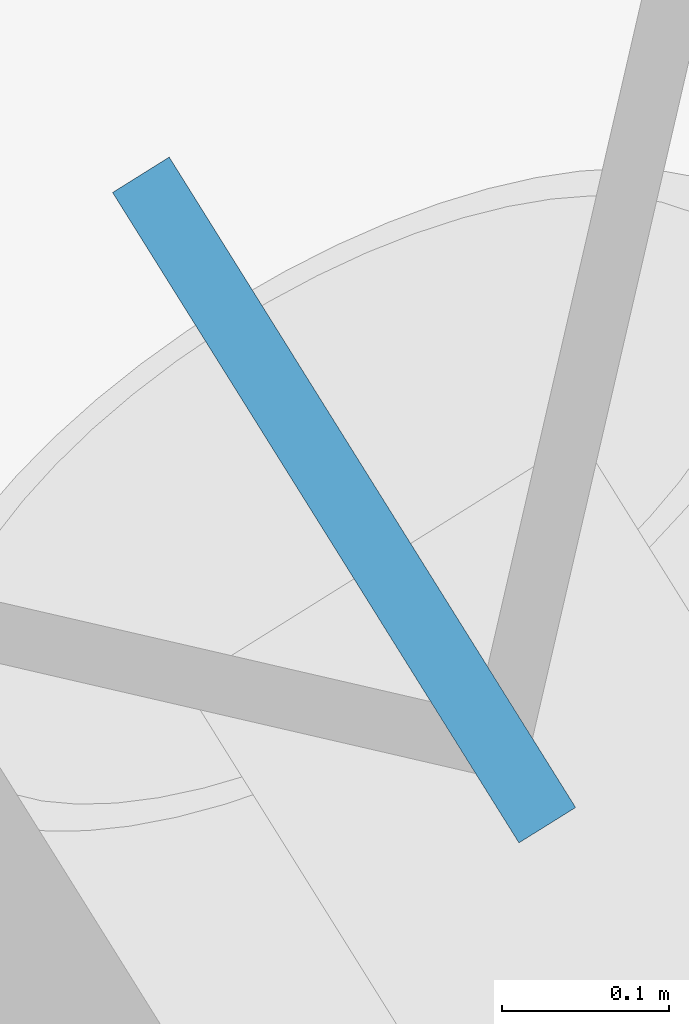
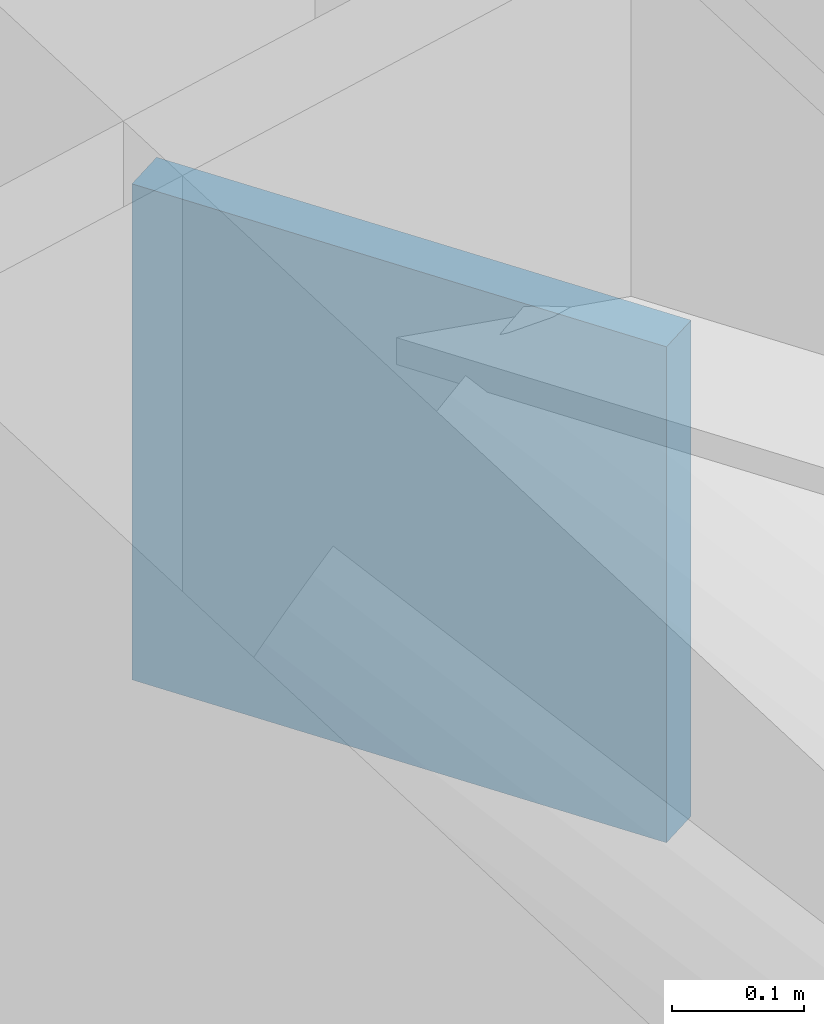
# One storey, part 18 of 19: 1 discrete accessory.
"""IFC4 building model written with IfcOpenShell, lengths in metres."""

from ifc_helpers import new_model, si_unit, direction, frame, origin, origin_2d, place, context, subcontext, project, spatial, rectangle, extrude, material, type_object, element, save


model = new_model("IFC4")

# Units and contexts
model_context = context("Model", 3, precision=1e-05, world=origin(), true_north=direction((0.0, 1.0)))
body_context = subcontext(model_context, "Body", "Model", "MODEL_VIEW")
ifc_project = project(units=[si_unit("LENGTHUNIT", "METRE"), si_unit("AREAUNIT", "SQUARE_METRE"), si_unit("VOLUMEUNIT", "CUBIC_METRE"), si_unit("PLANEANGLEUNIT", "RADIAN"), si_unit("MASSUNIT", "GRAM", prefix="KILO")], contexts=[model_context])

# Site, building, storey
site_placement = place(None, origin())
site = spatial("IfcSite", under=ifc_project, at=site_placement, CompositionType="ELEMENT")
building_placement = place(site_placement, origin())
building = spatial("IfcBuilding", under=site, at=building_placement, Name="Tavrogorsk Clinical Tower", CompositionType="ELEMENT")
storey_placement = place(building_placement, frame((0.0, 0.0, 28.39990234375)))
storey = spatial("IfcBuildingStorey", under=building, at=storey_placement, Name="L05", CompositionType="ELEMENT", Elevation=28.39990234375)

# Discrete accessory
ifc_material = material(Name="Structural steel S440", Category="steel")
discrete_accessory_type = type_object("IfcDiscreteAccessoryType", Name="GussetPlateBracket_25", PredefinedType="BRACKET", material=ifc_material)
discrete_accessory_placement = place(storey_placement, frame((36.64453125, 14.49658203125, 3.567626953125), z_axis=(0.0, 0.0, 1.0), x_axis=(-0.529919264233, 0.848048096156, 0.0)))
element("IfcDiscreteAccessory", 1, at=discrete_accessory_placement, inside=storey, type_object=discrete_accessory_type, Name="L05 Brace Gusset Plate EXOCRN-L05-2-B", PredefinedType="BRACKET", context=body_context, shape_type="SweptSolid", body=[
    extrude(rectangle(XDim=0.4599609375, YDim=0.0400390625, at=origin_2d()), origin(), (0.0, 0.0, 1.0), 0.4599609375),
])

save(model, "model.ifc")
